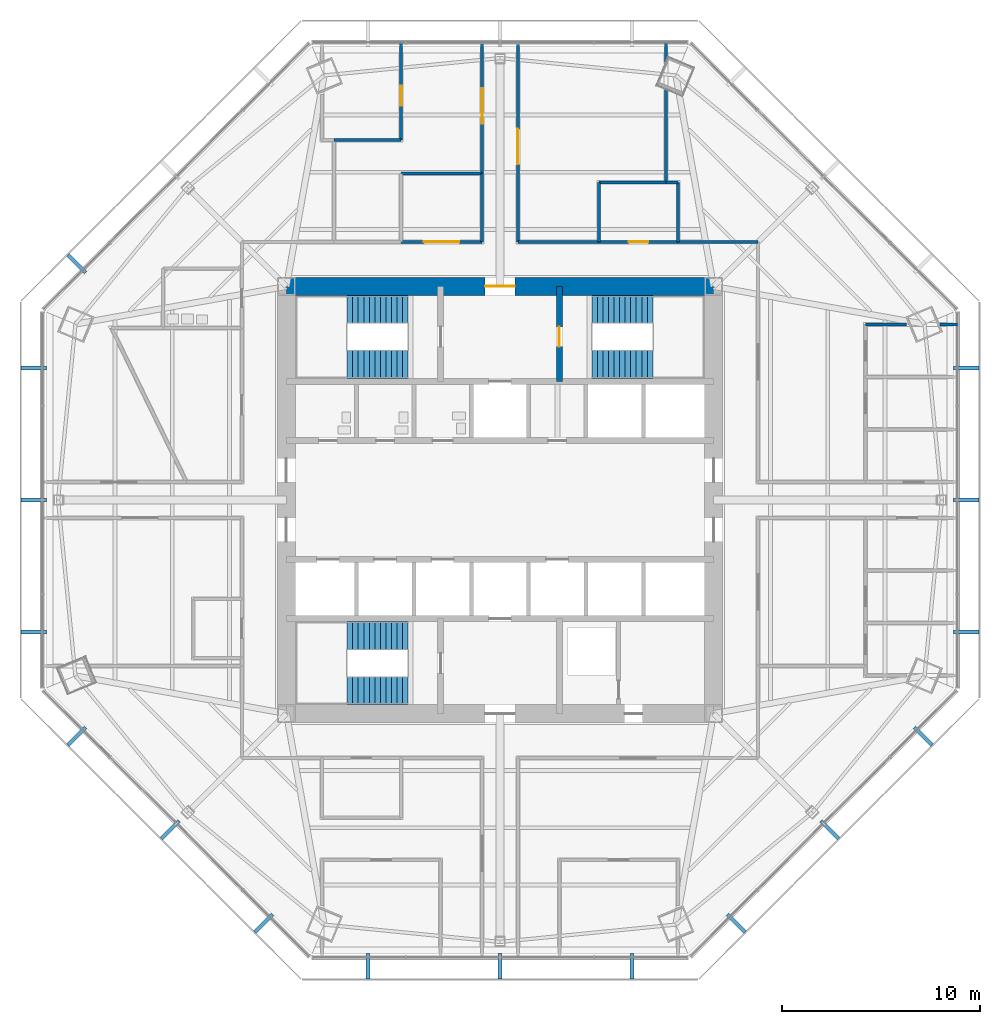
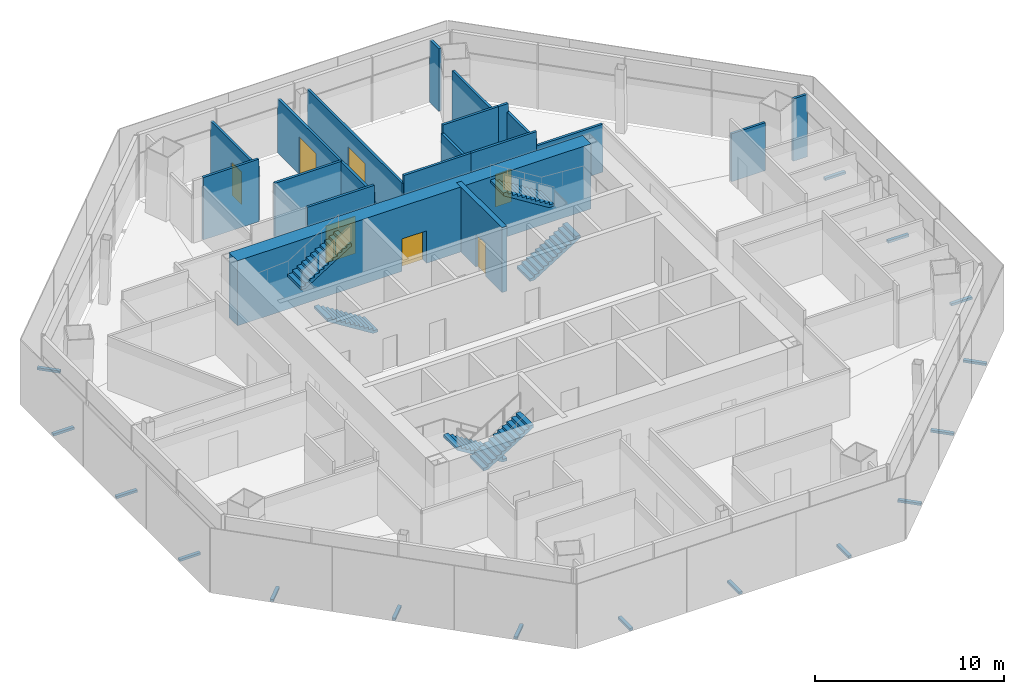
# One storey, part 11 of 15: 20 walls, 16 discrete accessories, 7 doors, 6 stair flights, 7 openings, 3 elements without a shape of their own.
"""IFC4 building model written with IfcOpenShell, lengths in metres."""

from ifc_helpers import new_model, si_unit, direction, frame, frame_2d, origin, origin_2d, place, context, subcontext, project, spatial, polyline, rectangle, outline, extrude, source, transform, mapped, material, layer, layer_set, type_object, type_shapes, element, fill, aggregate, save


model = new_model("IFC4")

# Units and contexts
model_context = context("Model", 3, precision=1e-05, world=origin(), true_north=direction((0.0, 1.0)))
body_context = subcontext(model_context, "Body", "Model", "MODEL_VIEW")
ifc_project = project(units=[si_unit("LENGTHUNIT", "METRE"), si_unit("AREAUNIT", "SQUARE_METRE"), si_unit("VOLUMEUNIT", "CUBIC_METRE"), si_unit("PLANEANGLEUNIT", "RADIAN"), si_unit("MASSUNIT", "GRAM", prefix="KILO")], contexts=[model_context])

# Site, building, storey
site_placement = place(None, origin())
site = spatial("IfcSite", under=ifc_project, at=site_placement, CompositionType="ELEMENT")
building_placement = place(site_placement, origin())
building = spatial("IfcBuilding", under=site, at=building_placement, Name="Mashrafa Tower", CompositionType="ELEMENT")
storey_placement = place(building_placement, frame((0.0, 0.0, 172.199951171875)))
storey = spatial("IfcBuildingStorey", under=building, at=storey_placement, Name="L39", CompositionType="ELEMENT", Elevation=172.199951171875)

# Wall, opening, door
ifc_material_1 = material(Name="Concrete C60/75", Category="concrete")
ifc_layer_1 = layer(ifc_material_1, 0.300048828125)
ifc_layer_set_1 = layer_set([ifc_layer_1], Name="Core wall 300 C60/75")
wall_type_1 = type_object("IfcWallType", Name="Core wall 300 C60/75", PredefinedType="SOLIDWALL", material=ifc_layer_set_1)
wall_1_placement = place(storey_placement, frame((3.0, 6.0, 0.0), z_axis=(0.0, 0.0, 1.0), x_axis=(0.0, 1.0, 0.0)))
wall_1 = element("IfcWall", 1, at=wall_1_placement, inside=storey, type_object=wall_type_1, Name="Core wall CX-NE L39", PredefinedType="SOLIDWALL", context=body_context, shape_type="SweptSolid", body=[
    extrude(rectangle(XDim=4.800048828125, YDim=0.300048828125, at=frame_2d((2.39990234375, 0.0))), origin(), (0.0, 0.0, 1.0), 4.199951171875),
])
opening_1_placement = place(wall_1_placement, frame((1.75, 0.0, 0.0)))
opening_1 = element("IfcOpeningElement", 2, at=opening_1_placement, cuts=wall_1, Name="Opening 39.031", PredefinedType="OPENING", context=body_context, shape_type="SweptSolid", body=[
    extrude(rectangle(XDim=1.0, YDim=2.10009765625, at=frame_2d((0.5, 1.050048828125))), frame((0.0, 0.159912109375, 0.0), z_axis=(0.0, -1.0, 0.0), x_axis=(1.0, 0.0, 0.0)), (0.0, 0.0, 1.0), 0.320068359375),
])
ifc_material_2 = material(Name="Steel door", Category="steel")
door_type_1 = type_object("IfcDoorType", Name="Stair door 1000 x 2100 90 min", OperationType="USERDEFINED", PredefinedType="DOOR", material=ifc_material_2)
door_1_placement = place(opening_1_placement, frame((1.0, 0.0, 0.0), z_axis=(0.0, 0.0, 1.0), x_axis=(-1.0, 0.0, 0.0)))
door_1 = element("IfcDoor", 3, at=door_1_placement, inside=storey, type_object=door_type_1, Name="Stair S2 door L39", OperationType="SINGLE_SWING_RIGHT", OverallHeight=2.10009765625, OverallWidth=1.0, PredefinedType="DOOR", context=body_context, shape_type="SweptSolid", body=[
    extrude(rectangle(XDim=1.0, YDim=2.10009765625, at=frame_2d((0.5, 1.050048828125))), frame((0.0, 0.02490234375, 0.0), z_axis=(0.0, -1.0, 0.0), x_axis=(1.0, 0.0, 0.0)), (0.0, 0.0, 1.0), 0.050048828125),
])
fill(opening_1, door_1)

ifc_material_3 = material(Name="Concrete C60/75", Category="concrete")
ifc_layer_2 = layer(ifc_material_3, 0.89990234375)
ifc_layer_set_2 = layer_set([ifc_layer_2], Name="Core wall 900 C60/75")
wall_type_2 = type_object("IfcWallType", Name="Core wall 900 C60/75", PredefinedType="SOLIDWALL", material=ifc_layer_set_2)
wall_2_placement = place(storey_placement, frame((10.800048828125, 10.800048828125, 0.0), z_axis=(0.0, 0.0, 1.0), x_axis=(-1.0, 0.0, 0.0)))
wall_2 = element("IfcWall", 4, at=wall_2_placement, inside=storey, type_object=wall_type_2, Name="Core wall CW-N L39", PredefinedType="SOLIDWALL", context=body_context, shape_type="SweptSolid", body=[
    extrude(rectangle(XDim=21.60009765625, YDim=0.89990234375, at=frame_2d((10.800048828125, 0.0))), origin(), (0.0, 0.0, 1.0), 4.199951171875),
])
opening_2_placement = place(wall_2_placement, frame((10.050048828125, 0.0, 0.0)))
opening_2 = element("IfcOpeningElement", 5, at=opening_2_placement, cuts=wall_2, Name="Opening 39.028", PredefinedType="OPENING", context=body_context, shape_type="SweptSolid", body=[
    extrude(rectangle(XDim=1.5, YDim=2.10009765625, at=frame_2d((0.75, 1.050048828125))), frame((0.0, 0.4599609375, 0.0), z_axis=(0.0, -1.0, 0.0), x_axis=(1.0, 0.0, 0.0)), (0.0, 0.0, 1.0), 0.919921875),
])
ifc_material_4 = material(Name="Steel door", Category="steel")
door_type_2 = type_object("IfcDoorType", Name="Lobby door pair 1500 x 2100 90 min", OperationType="DOUBLE_DOOR_SINGLE_SWING", PredefinedType="DOOR", material=ifc_material_4)
door_2_placement = place(opening_2_placement, origin())
door_2 = element("IfcDoor", 6, at=door_2_placement, inside=storey, type_object=door_type_2, Name="Fire-fighting lobby F1 door L39", OperationType="DOUBLE_DOOR_SINGLE_SWING", OverallHeight=2.10009765625, OverallWidth=1.5, PredefinedType="DOOR", context=body_context, shape_type="SweptSolid", body=[
    extrude(rectangle(XDim=1.5, YDim=2.10009765625, at=frame_2d((0.75, 1.050048828125))), frame((0.0, 0.02490234375, 0.0), z_axis=(0.0, -1.0, 0.0), x_axis=(1.0, 0.0, 0.0)), (0.0, 0.0, 1.0), 0.050048828125),
])
fill(opening_2, door_2)

# Wall
ifc_material_5 = material(Name="Gypsum board on steel studs", Category="steel")
ifc_layer_3 = layer(ifc_material_5, 0.14990234375)
ifc_layer_set_3 = layer_set([ifc_layer_3], Name="Corridor partition 150 1 hr")
wall_type_3 = type_object("IfcWallType", Name="Corridor partition 150 1 hr", PredefinedType="PARTITIONING", material=ifc_layer_set_3)
wall_3_placement = place(storey_placement, frame((-0.89990234375, 16.5009765625, 0.0), z_axis=(0.0, 0.0, 1.0), x_axis=(0.0, -1.0, 0.0)))
element("IfcWall", 7, at=wall_3_placement, inside=storey, type_object=wall_type_3, Name="Corridor wall L39-004", PredefinedType="PARTITIONING", context=body_context, shape_type="SweptSolid", body=[
    extrude(rectangle(XDim=3.450927734375, YDim=0.14990234375, at=frame_2d((1.7255859375, 0.0))), origin(), (0.0, 0.0, 1.0), 3.49169921875),
])

# Wall, opening, door
wall_4_placement = place(storey_placement, frame((-0.89990234375, 13.050048828125, 0.0), z_axis=(0.0, 0.0, 1.0), x_axis=(-1.0, 0.0, 0.0)))
wall_4 = element("IfcWall", 8, at=wall_4_placement, inside=storey, type_object=wall_type_3, Name="Corridor wall L39-005", PredefinedType="PARTITIONING", context=body_context, shape_type="SweptSolid", body=[
    extrude(rectangle(XDim=4.10107421875, YDim=0.14990234375, at=frame_2d((2.050537109375, 0.0))), origin(), (0.0, 0.0, 1.0), 4.03515625),
])
opening_3_placement = place(wall_4_placement, frame((1.150390625, 0.0, 0.0)))
opening_3 = element("IfcOpeningElement", 9, at=opening_3_placement, cuts=wall_4, Name="Opening 39.003", PredefinedType="OPENING", context=body_context, shape_type="SweptSolid", body=[
    extrude(rectangle(XDim=1.800048828125, YDim=2.39990234375, at=frame_2d((0.89990234375, 1.199951171875))), frame((0.0, 0.0849609375, 0.0), z_axis=(0.0, -1.0, 0.0), x_axis=(1.0, 0.0, 0.0)), (0.0, 0.0, 1.0), 0.169921875),
])
ifc_material_6 = material(Name="Steel door", Category="steel")
door_type_3 = type_object("IfcDoorType", Name="Door pair 1800 x 2400 90 min", OperationType="DOUBLE_DOOR_SINGLE_SWING", PredefinedType="DOOR", material=ifc_material_6)
door_3_placement = place(opening_3_placement, origin())
door_3 = element("IfcDoor", 10, at=door_3_placement, inside=storey, type_object=door_type_3, Name="Reception 39-1 door", OperationType="DOUBLE_DOOR_SINGLE_SWING", OverallHeight=2.39990234375, OverallWidth=1.800048828125, PredefinedType="DOOR", context=body_context, shape_type="SweptSolid", body=[
    extrude(rectangle(XDim=1.800048828125, YDim=2.39990234375, at=frame_2d((0.89990234375, 1.199951171875))), frame((0.0, 0.02490234375, 0.0), z_axis=(0.0, -1.0, 0.0), x_axis=(1.0, 0.0, 0.0)), (0.0, 0.0, 1.0), 0.050048828125),
])
fill(opening_3, door_3)

wall_5_placement = place(storey_placement, frame((9.0009765625, 13.050048828125, 0.0), z_axis=(0.0, 0.0, 1.0), x_axis=(-1.0, 0.0, 0.0)))
wall_5 = element("IfcWall", 11, at=wall_5_placement, inside=storey, type_object=wall_type_3, Name="Corridor wall L39-006", PredefinedType="PARTITIONING", context=body_context, shape_type="SweptSolid", body=[
    extrude(rectangle(XDim=4.001953125, YDim=0.14990234375, at=frame_2d((2.0009765625, 0.0))), origin(), (0.0, 0.0, 1.0), 4.03515625),
])
opening_4_placement = place(wall_5_placement, frame((1.5009765625, 0.0, 0.0)))
opening_4 = element("IfcOpeningElement", 12, at=opening_4_placement, cuts=wall_5, Name="Opening 39.005", PredefinedType="OPENING", context=body_context, shape_type="SweptSolid", body=[
    extrude(rectangle(XDim=1.0, YDim=2.10009765625, at=frame_2d((0.5, 1.050048828125))), frame((0.0, 0.0849609375, 0.0), z_axis=(0.0, -1.0, 0.0), x_axis=(1.0, 0.0, 0.0)), (0.0, 0.0, 1.0), 0.169921875),
])
ifc_material_7 = material(Name="Timber door", Category="wood")
door_type_4 = type_object("IfcDoorType", Name="Door 1000 x 2100", OperationType="USERDEFINED", PredefinedType="DOOR", material=ifc_material_7)
door_4_placement = place(opening_4_placement, frame((1.0, 0.0, 0.0), z_axis=(0.0, 0.0, 1.0), x_axis=(-1.0, 0.0, 0.0)))
door_4 = element("IfcDoor", 13, at=door_4_placement, inside=storey, type_object=door_type_4, Name="Pantry 39-1 door", OperationType="SINGLE_SWING_RIGHT", OverallHeight=2.10009765625, OverallWidth=1.0, PredefinedType="DOOR", context=body_context, shape_type="SweptSolid", body=[
    extrude(rectangle(XDim=1.0, YDim=2.10009765625, at=frame_2d((0.5, 1.050048828125))), frame((0.0, 0.02490234375, 0.0), z_axis=(0.0, -1.0, 0.0), x_axis=(1.0, 0.0, 0.0)), (0.0, 0.0, 1.0), 0.050048828125),
])
fill(opening_4, door_4)

# Walls
wall_6_placement = place(storey_placement, frame((13.050048828125, 13.050048828125, 0.0), z_axis=(0.0, 0.0, 1.0), x_axis=(-1.0, 0.0, 0.0)))
element("IfcWall", 14, at=wall_6_placement, inside=storey, type_object=wall_type_3, Name="Corridor wall L39-013", PredefinedType="PARTITIONING", context=body_context, shape_type="SweptSolid", body=[
    extrude(rectangle(XDim=4.051025390625, YDim=0.14990234375, at=frame_2d((2.025390625, 0.0))), origin(), (0.0, 0.0, 1.0), 3.097900390625),
])
wall_7_placement = place(storey_placement, frame((5.0009765625, 13.050048828125, 0.0), z_axis=(0.0, 0.0, 1.0), x_axis=(-1.0, 0.0, 0.0)))
element("IfcWall", 15, at=wall_7_placement, inside=storey, type_object=wall_type_3, Name="Corridor wall L39-014", PredefinedType="PARTITIONING", context=body_context, shape_type="SweptSolid", body=[
    extrude(rectangle(XDim=4.10107421875, YDim=0.14990234375, at=frame_2d((2.050537109375, 0.0))), origin(), (0.0, 0.0, 1.0), 4.03515625),
])

# Wall, opening, door
wall_8_placement = place(storey_placement, frame((0.89990234375, 13.050048828125, 0.0), z_axis=(0.0, 0.0, 1.0), x_axis=(0.0, 1.0, 0.0)))
wall_8 = element("IfcWall", 16, at=wall_8_placement, inside=storey, type_object=wall_type_3, Name="Corridor wall L39-015", PredefinedType="PARTITIONING", context=body_context, shape_type="SweptSolid", body=[
    extrude(rectangle(XDim=10.077392578125, YDim=0.14990234375, at=frame_2d((5.03857421875, 0.0))), origin(), (0.0, 0.0, 1.0), 3.49169921875),
])
opening_5_placement = place(wall_8_placement, frame((3.921630859375, 0.0, 0.0)))
opening_5 = element("IfcOpeningElement", 17, at=opening_5_placement, cuts=wall_8, Name="Opening 39.017", PredefinedType="OPENING", context=body_context, shape_type="SweptSolid", body=[
    extrude(rectangle(XDim=1.800048828125, YDim=2.39990234375, at=frame_2d((0.89990234375, 1.199951171875))), frame((0.0, 0.0849609375, 0.0), z_axis=(0.0, -1.0, 0.0), x_axis=(1.0, 0.0, 0.0)), (0.0, 0.0, 1.0), 0.169921875),
])
ifc_material_8 = material(Name="Timber door", Category="wood")
door_type_5 = type_object("IfcDoorType", Name="Door pair 1800 x 2400", OperationType="DOUBLE_DOOR_SINGLE_SWING", PredefinedType="DOOR", material=ifc_material_8)
door_5_placement = place(opening_5_placement, frame((1.800048828125, 0.0, 0.0), z_axis=(0.0, 0.0, 1.0), x_axis=(-1.0, 0.0, 0.0)))
door_5 = element("IfcDoor", 18, at=door_5_placement, inside=storey, type_object=door_type_5, Name="Office Tenancy 39-2-NE2 door", OperationType="DOUBLE_DOOR_SINGLE_SWING", OverallHeight=2.39990234375, OverallWidth=1.800048828125, PredefinedType="DOOR", context=body_context, shape_type="SweptSolid", body=[
    extrude(rectangle(XDim=1.800048828125, YDim=2.39990234375, at=frame_2d((0.89990234375, 1.199951171875))), frame((0.0, 0.02490234375, 0.0), z_axis=(0.0, -1.0, 0.0), x_axis=(1.0, 0.0, 0.0)), (0.0, 0.0, 1.0), 0.050048828125),
])
fill(opening_5, door_5)

wall_9_placement = place(storey_placement, frame((-0.89990234375, 23.12744140625, 0.0), z_axis=(0.0, 0.0, 1.0), x_axis=(0.0, -1.0, 0.0)))
wall_9 = element("IfcWall", 19, at=wall_9_placement, inside=storey, type_object=wall_type_3, Name="Corridor wall L39-020", PredefinedType="PARTITIONING", context=body_context, shape_type="SweptSolid", body=[
    extrude(rectangle(XDim=6.62841796875, YDim=0.14990234375, at=frame_2d((3.314208984375, 0.0))), origin(), (0.0, 0.0, 1.0), 3.49169921875),
])
opening_6_placement = place(wall_9_placement, frame((2.296142578125, 0.0, 0.0)))
opening_6 = element("IfcOpeningElement", 20, at=opening_6_placement, cuts=wall_9, Name="Opening 39.019", PredefinedType="OPENING", context=body_context, shape_type="SweptSolid", body=[
    extrude(rectangle(XDim=1.800048828125, YDim=2.39990234375, at=frame_2d((0.89990234375, 1.199951171875))), frame((0.0, 0.0849609375, 0.0), z_axis=(0.0, -1.0, 0.0), x_axis=(1.0, 0.0, 0.0)), (0.0, 0.0, 1.0), 0.169921875),
])
door_6_placement = place(opening_6_placement, frame((1.800048828125, 0.0, 0.0), z_axis=(0.0, 0.0, 1.0), x_axis=(-1.0, 0.0, 0.0)))
door_6 = element("IfcDoor", 21, at=door_6_placement, inside=storey, type_object=door_type_5, Name="Office Tenancy 39-1-NW2 door", OperationType="DOUBLE_DOOR_SINGLE_SWING", OverallHeight=2.39990234375, OverallWidth=1.800048828125, PredefinedType="DOOR", context=body_context, shape_type="SweptSolid", body=[
    extrude(rectangle(XDim=1.800048828125, YDim=2.39990234375, at=frame_2d((0.89990234375, 1.199951171875))), frame((0.0, 0.02490234375, 0.0), z_axis=(0.0, -1.0, 0.0), x_axis=(1.0, 0.0, 0.0)), (0.0, 0.0, 1.0), 0.050048828125),
])
fill(opening_6, door_6)

# Walls
wall_10_placement = place(storey_placement, frame((-0.89990234375, 16.5, 0.0), z_axis=(0.0, 0.0, 1.0), x_axis=(-1.0, 0.0, 0.0)))
element("IfcWall", 22, at=wall_10_placement, inside=storey, type_object=wall_type_3, Name="Corridor wall L39-038", PredefinedType="PARTITIONING", context=body_context, shape_type="SweptSolid", body=[
    extrude(rectangle(XDim=4.10009765625, YDim=0.14990234375, at=frame_2d((2.050048828125, 0.0))), origin(), (0.0, 0.0, 1.0), 3.499267578125),
])
ifc_material_9 = material(Name="Gypsum board on steel studs", Category="steel")
ifc_layer_4 = layer(ifc_material_9, 0.14990234375)
ifc_layer_set_4 = layer_set([ifc_layer_4], Name="Partition 150")
wall_type_4 = type_object("IfcWallType", Name="Partition 150", PredefinedType="PARTITIONING", material=ifc_layer_set_4)
wall_11_placement = place(storey_placement, frame((-8.40087890625, 18.193359375, 0.0), z_axis=(0.0, 0.0, 1.0), x_axis=(1.0, 0.0, 0.0)))
element("IfcWall", 23, at=wall_11_placement, inside=storey, type_object=wall_type_4, Name="Partition wall L39-043", PredefinedType="PARTITIONING", context=body_context, shape_type="SweptSolid", body=[
    extrude(rectangle(XDim=3.40087890625, YDim=0.14990234375, at=frame_2d((1.700439453125, 0.0))), origin(), (0.0, 0.0, 1.0), 4.03515625),
])

# Wall, opening, door
wall_12_placement = place(storey_placement, frame((-5.0, 18.193359375, 0.0), z_axis=(0.0, 0.0, 1.0), x_axis=(0.0, 1.0, 0.0)))
wall_12 = element("IfcWall", 24, at=wall_12_placement, inside=storey, type_object=wall_type_4, Name="Partition wall L39-044", PredefinedType="PARTITIONING", context=body_context, shape_type="SweptSolid", body=[
    extrude(rectangle(XDim=4.93408203125, YDim=0.14990234375, at=frame_2d((2.467041015625, 0.0))), origin(), (0.0, 0.0, 1.0), 3.49169921875),
])
opening_7_placement = place(wall_12_placement, frame((1.75, 0.0, 0.0)))
opening_7 = element("IfcOpeningElement", 25, at=opening_7_placement, cuts=wall_12, Name="Opening 39.004", PredefinedType="OPENING", context=body_context, shape_type="SweptSolid", body=[
    extrude(rectangle(XDim=1.0, YDim=2.10009765625, at=frame_2d((0.5, 1.050048828125))), frame((0.0, 0.0849609375, 0.0), z_axis=(0.0, -1.0, 0.0), x_axis=(1.0, 0.0, 0.0)), (0.0, 0.0, 1.0), 0.169921875),
])
door_7_placement = place(opening_7_placement, origin())
door_7 = element("IfcDoor", 26, at=door_7_placement, inside=storey, type_object=door_type_4, Name="Meeting Room 39-1-NW2 door", OperationType="SINGLE_SWING_LEFT", OverallHeight=2.10009765625, OverallWidth=1.0, PredefinedType="DOOR", context=body_context, shape_type="SweptSolid", body=[
    extrude(rectangle(XDim=1.0, YDim=2.10009765625, at=frame_2d((0.5, 1.050048828125))), frame((0.0, 0.02490234375, 0.0), z_axis=(0.0, -1.0, 0.0), x_axis=(1.0, 0.0, 0.0)), (0.0, 0.0, 1.0), 0.050048828125),
])
fill(opening_7, door_7)

# Walls
wall_13_placement = place(storey_placement, frame((9.0, 13.050048828125, 0.0), z_axis=(0.0, 0.0, 1.0), x_axis=(0.0, 1.0, 0.0)))
element("IfcWall", 27, at=wall_13_placement, inside=storey, type_object=wall_type_4, Name="Partition wall L39-045", PredefinedType="PARTITIONING", context=body_context, shape_type="SweptSolid", body=[
    extrude(rectangle(XDim=3.0, YDim=0.14990234375, at=frame_2d((1.5, 0.0))), origin(), (0.0, 0.0, 1.0), 3.49169921875),
])
wall_14_placement = place(storey_placement, frame((9.0, 16.050048828125, 0.0), z_axis=(0.0, 0.0, 1.0), x_axis=(-1.0, 0.0, 0.0)))
element("IfcWall", 28, at=wall_14_placement, inside=storey, type_object=wall_type_4, Name="Partition wall L39-046", PredefinedType="PARTITIONING", context=body_context, shape_type="SweptSolid", body=[
    extrude(rectangle(XDim=0.60107421875, YDim=0.14990234375, at=frame_2d((0.300537109375, 0.0))), origin(), (0.0, 0.0, 1.0), 4.03515625),
])
wall_15_placement = place(storey_placement, frame((8.40087890625, 16.050048828125, 0.0), z_axis=(0.0, 0.0, 1.0), x_axis=(-1.0, 0.0, 0.0)))
element("IfcWall", 29, at=wall_15_placement, inside=storey, type_object=wall_type_4, Name="Partition wall L39-047", PredefinedType="PARTITIONING", context=body_context, shape_type="SweptSolid", body=[
    extrude(rectangle(XDim=3.40087890625, YDim=0.14990234375, at=frame_2d((1.700439453125, 0.0))), origin(), (0.0, 0.0, 1.0), 4.03515625),
])
wall_16_placement = place(storey_placement, frame((5.0, 16.050048828125, 0.0), z_axis=(0.0, 0.0, 1.0), x_axis=(0.0, -1.0, 0.0)))
element("IfcWall", 30, at=wall_16_placement, inside=storey, type_object=wall_type_4, Name="Partition wall L39-048", PredefinedType="PARTITIONING", context=body_context, shape_type="SweptSolid", body=[
    extrude(rectangle(XDim=3.0, YDim=0.14990234375, at=frame_2d((1.5, 0.0))), origin(), (0.0, 0.0, 1.0), 3.49169921875),
])
wall_17_placement = place(storey_placement, frame((23.12548828125, 8.866943359375, 0.0), z_axis=(0.0, 0.0, 1.0), x_axis=(-1.0, 0.0, 0.0)))
element("IfcWall", 31, at=wall_17_placement, inside=storey, type_object=wall_type_4, Name="Partition wall L39-067", PredefinedType="PARTITIONING", context=body_context, shape_type="SweptSolid", body=[
    extrude(rectangle(XDim=0.87158203125, YDim=0.14990234375, at=frame_2d((0.435791015625, 0.0))), origin(), (0.0, 0.0, 1.0), 4.03515625),
])
wall_18_placement = place(storey_placement, frame((20.557373046875, 8.866943359375, 0.0), z_axis=(0.0, 0.0, 1.0), x_axis=(-1.0, 0.0, 0.0)))
element("IfcWall", 32, at=wall_18_placement, inside=storey, type_object=wall_type_4, Name="Partition wall L39-068", PredefinedType="PARTITIONING", context=body_context, shape_type="SweptSolid", body=[
    extrude(rectangle(XDim=2.06396484375, YDim=0.14990234375, at=frame_2d((1.031982421875, 0.0))), origin(), (0.0, 0.0, 1.0), 3.097900390625),
])
wall_19_placement = place(storey_placement, frame((8.39990234375, 23.12548828125, 0.0), z_axis=(0.0, 0.0, 1.0), x_axis=(0.0, -1.0, 0.0)))
element("IfcWall", 33, at=wall_19_placement, inside=storey, type_object=wall_type_4, Name="Partition wall L39-078", PredefinedType="PARTITIONING", context=body_context, shape_type="SweptSolid", body=[
    extrude(rectangle(XDim=0.96728515625, YDim=0.14990234375, at=frame_2d((0.483642578125, 0.0))), origin(), (0.0, 0.0, 1.0), 4.03515625),
])
wall_20_placement = place(storey_placement, frame((8.39990234375, 20.7509765625, 0.0), z_axis=(0.0, 0.0, 1.0), x_axis=(0.0, -1.0, 0.0)))
element("IfcWall", 34, at=wall_20_placement, inside=storey, type_object=wall_type_4, Name="Partition wall L39-079", PredefinedType="PARTITIONING", context=body_context, shape_type="SweptSolid", body=[
    extrude(rectangle(XDim=4.700927734375, YDim=0.14990234375, at=frame_2d((2.3505859375, 0.0))), origin(), (0.0, 0.0, 1.0), 3.49169921875),
])

# Stair, stair flights
ifc_material_10 = material(Name="Exit stair 1400")
stair_type = type_object("IfcStairType", Name="Exit stair 1400", PredefinedType="HALF_TURN_STAIR", material=ifc_material_10)
stair_1_placement = place(storey_placement, origin())
stair_1 = element("IfcStair", 35, at=stair_1_placement, inside=storey, type_object=stair_type, Name="Stair S1 L39", PredefinedType="HALF_TURN_STAIR")
ifc_material_11 = material(Name="Concrete C32/40", Category="concrete")
stair_flight_type = type_object("IfcStairFlightType", Name="Stair flight 1400", PredefinedType="STRAIGHT", material=ifc_material_11)
stair_flight_1_placement = place(storey_placement, frame((-4.64990234375, 6.85009765625, 0.0), z_axis=(0.0, 0.0, 1.0), x_axis=(-1.0, 0.0, 0.0)))
stair_flight_1 = element("IfcStairFlight", 36, at=stair_flight_1_placement, type_object=stair_flight_type, Name="S1 flight 1", NumberOfRisers=12, NumberOfTreads=11, PredefinedType="STRAIGHT", RiserHeight=0.175, TreadLength=0.28, context=body_context, shape_type="SweptSolid", body=[
    extrude(outline(polyline([(0.0, 0.0), (0.0, 0.175048828125), (0.280029296875, 0.175048828125), (0.280029296875, 0.35009765625), (0.56005859375, 0.35009765625), (0.56005859375, 0.52490234375), (0.840087890625, 0.52490234375), (0.840087890625, 0.699951171875), (1.1201171875, 0.699951171875), (1.1201171875, 0.875), (1.39990234375, 0.875), (1.39990234375, 1.050048828125), (1.679931640625, 1.050048828125), (1.679931640625, 1.22509765625), (1.9599609375, 1.22509765625), (1.9599609375, 1.39990234375), (2.239990234375, 1.39990234375), (2.239990234375, 1.574951171875), (2.52001953125, 1.574951171875), (2.52001953125, 1.75), (2.800048828125, 1.75), (2.800048828125, 1.925048828125), (3.080078125, 1.925048828125), (3.080078125, 2.10009765625), (3.080078125, 1.748291015625), (0.28271484375, 0.0), (0.0, 0.0)])), frame((0.0, 0.699951171875, 0.0), z_axis=(0.0, -1.0, 0.0), x_axis=(1.0, 0.0, 0.0)), (0.0, 0.0, 1.0), 1.39990234375),
])
stair_flight_2_placement = place(storey_placement, frame((-7.72998046875, 9.64990234375, 2.10009765625), z_axis=(0.0, 0.0, 1.0), x_axis=(1.0, 0.0, 0.0)))
stair_flight_2 = element("IfcStairFlight", 37, at=stair_flight_2_placement, type_object=stair_flight_type, Name="S1 flight 2", NumberOfRisers=12, NumberOfTreads=11, PredefinedType="STRAIGHT", RiserHeight=0.175, TreadLength=0.28, context=body_context, shape_type="SweptSolid", body=[
    extrude(outline(polyline([(0.0, 0.0), (0.0, 0.175048828125), (0.280029296875, 0.175048828125), (0.280029296875, 0.35009765625), (0.56005859375, 0.35009765625), (0.56005859375, 0.52490234375), (0.840087890625, 0.52490234375), (0.840087890625, 0.699951171875), (1.1201171875, 0.699951171875), (1.1201171875, 0.875), (1.39990234375, 0.875), (1.39990234375, 1.050048828125), (1.679931640625, 1.050048828125), (1.679931640625, 1.22509765625), (1.9599609375, 1.22509765625), (1.9599609375, 1.39990234375), (2.239990234375, 1.39990234375), (2.239990234375, 1.574951171875), (2.52001953125, 1.574951171875), (2.52001953125, 1.75), (2.800048828125, 1.75), (2.800048828125, 1.925048828125), (3.080078125, 1.925048828125), (3.080078125, 2.10009765625), (3.080078125, 1.748291015625), (0.28271484375, 0.0), (0.0, 0.0)])), frame((0.0, 0.699951171875, 0.0), z_axis=(0.0, -1.0, 0.0), x_axis=(1.0, 0.0, 0.0)), (0.0, 0.0, 1.0), 1.39990234375),
])
aggregate(stair_1, [stair_flight_1, stair_flight_2])

stair_2_placement = place(storey_placement, origin())
stair_2 = element("IfcStair", 38, at=stair_2_placement, inside=storey, type_object=stair_type, Name="Stair S2 L39", PredefinedType="HALF_TURN_STAIR")
stair_flight_3_placement = place(storey_placement, frame((4.64990234375, 6.85009765625, 0.0), z_axis=(0.0, 0.0, 1.0), x_axis=(1.0, 0.0, 0.0)))
stair_flight_3 = element("IfcStairFlight", 39, at=stair_flight_3_placement, type_object=stair_flight_type, Name="S2 flight 1", NumberOfRisers=12, NumberOfTreads=11, PredefinedType="STRAIGHT", RiserHeight=0.175, TreadLength=0.28, context=body_context, shape_type="SweptSolid", body=[
    extrude(outline(polyline([(0.0, 0.0), (0.0, 0.175048828125), (0.280029296875, 0.175048828125), (0.280029296875, 0.35009765625), (0.56005859375, 0.35009765625), (0.56005859375, 0.52490234375), (0.840087890625, 0.52490234375), (0.840087890625, 0.699951171875), (1.1201171875, 0.699951171875), (1.1201171875, 0.875), (1.39990234375, 0.875), (1.39990234375, 1.050048828125), (1.679931640625, 1.050048828125), (1.679931640625, 1.22509765625), (1.9599609375, 1.22509765625), (1.9599609375, 1.39990234375), (2.239990234375, 1.39990234375), (2.239990234375, 1.574951171875), (2.52001953125, 1.574951171875), (2.52001953125, 1.75), (2.800048828125, 1.75), (2.800048828125, 1.925048828125), (3.080078125, 1.925048828125), (3.080078125, 2.10009765625), (3.080078125, 1.748291015625), (0.28271484375, 0.0), (0.0, 0.0)])), frame((0.0, 0.699951171875, 0.0), z_axis=(0.0, -1.0, 0.0), x_axis=(1.0, 0.0, 0.0)), (0.0, 0.0, 1.0), 1.39990234375),
])
stair_flight_4_placement = place(storey_placement, frame((7.72998046875, 9.64990234375, 2.10009765625), z_axis=(0.0, 0.0, 1.0), x_axis=(-1.0, 0.0, 0.0)))
stair_flight_4 = element("IfcStairFlight", 40, at=stair_flight_4_placement, type_object=stair_flight_type, Name="S2 flight 2", NumberOfRisers=12, NumberOfTreads=11, PredefinedType="STRAIGHT", RiserHeight=0.175, TreadLength=0.28, context=body_context, shape_type="SweptSolid", body=[
    extrude(outline(polyline([(0.0, 0.0), (0.0, 0.175048828125), (0.280029296875, 0.175048828125), (0.280029296875, 0.35009765625), (0.56005859375, 0.35009765625), (0.56005859375, 0.52490234375), (0.840087890625, 0.52490234375), (0.840087890625, 0.699951171875), (1.1201171875, 0.699951171875), (1.1201171875, 0.875), (1.39990234375, 0.875), (1.39990234375, 1.050048828125), (1.679931640625, 1.050048828125), (1.679931640625, 1.22509765625), (1.9599609375, 1.22509765625), (1.9599609375, 1.39990234375), (2.239990234375, 1.39990234375), (2.239990234375, 1.574951171875), (2.52001953125, 1.574951171875), (2.52001953125, 1.75), (2.800048828125, 1.75), (2.800048828125, 1.925048828125), (3.080078125, 1.925048828125), (3.080078125, 2.10009765625), (3.080078125, 1.748291015625), (0.28271484375, 0.0), (0.0, 0.0)])), frame((0.0, 0.699951171875, 0.0), z_axis=(0.0, -1.0, 0.0), x_axis=(1.0, 0.0, 0.0)), (0.0, 0.0, 1.0), 1.39990234375),
])
aggregate(stair_2, [stair_flight_3, stair_flight_4])

stair_3_placement = place(storey_placement, origin())
stair_3 = element("IfcStair", 41, at=stair_3_placement, inside=storey, type_object=stair_type, Name="Stair S3 L39", PredefinedType="HALF_TURN_STAIR")
stair_flight_5_placement = place(storey_placement, frame((-4.64990234375, -6.85009765625, 0.0), z_axis=(0.0, 0.0, 1.0), x_axis=(-1.0, 0.0, 0.0)))
stair_flight_5 = element("IfcStairFlight", 42, at=stair_flight_5_placement, type_object=stair_flight_type, Name="S3 flight 1", NumberOfRisers=12, NumberOfTreads=11, PredefinedType="STRAIGHT", RiserHeight=0.175, TreadLength=0.28, context=body_context, shape_type="SweptSolid", body=[
    extrude(outline(polyline([(0.0, 0.0), (0.0, 0.175048828125), (0.280029296875, 0.175048828125), (0.280029296875, 0.35009765625), (0.56005859375, 0.35009765625), (0.56005859375, 0.52490234375), (0.840087890625, 0.52490234375), (0.840087890625, 0.699951171875), (1.1201171875, 0.699951171875), (1.1201171875, 0.875), (1.39990234375, 0.875), (1.39990234375, 1.050048828125), (1.679931640625, 1.050048828125), (1.679931640625, 1.22509765625), (1.9599609375, 1.22509765625), (1.9599609375, 1.39990234375), (2.239990234375, 1.39990234375), (2.239990234375, 1.574951171875), (2.52001953125, 1.574951171875), (2.52001953125, 1.75), (2.800048828125, 1.75), (2.800048828125, 1.925048828125), (3.080078125, 1.925048828125), (3.080078125, 2.10009765625), (3.080078125, 1.748291015625), (0.28271484375, 0.0), (0.0, 0.0)])), frame((0.0, 0.699951171875, 0.0), z_axis=(0.0, -1.0, 0.0), x_axis=(1.0, 0.0, 0.0)), (0.0, 0.0, 1.0), 1.39990234375),
])
stair_flight_6_placement = place(storey_placement, frame((-7.72998046875, -9.64990234375, 2.10009765625), z_axis=(0.0, 0.0, 1.0), x_axis=(1.0, 0.0, 0.0)))
stair_flight_6 = element("IfcStairFlight", 43, at=stair_flight_6_placement, type_object=stair_flight_type, Name="S3 flight 2", NumberOfRisers=12, NumberOfTreads=11, PredefinedType="STRAIGHT", RiserHeight=0.175, TreadLength=0.28, context=body_context, shape_type="SweptSolid", body=[
    extrude(outline(polyline([(0.0, 0.0), (0.0, 0.175048828125), (0.280029296875, 0.175048828125), (0.280029296875, 0.35009765625), (0.56005859375, 0.35009765625), (0.56005859375, 0.52490234375), (0.840087890625, 0.52490234375), (0.840087890625, 0.699951171875), (1.1201171875, 0.699951171875), (1.1201171875, 0.875), (1.39990234375, 0.875), (1.39990234375, 1.050048828125), (1.679931640625, 1.050048828125), (1.679931640625, 1.22509765625), (1.9599609375, 1.22509765625), (1.9599609375, 1.39990234375), (2.239990234375, 1.39990234375), (2.239990234375, 1.574951171875), (2.52001953125, 1.574951171875), (2.52001953125, 1.75), (2.800048828125, 1.75), (2.800048828125, 1.925048828125), (3.080078125, 1.925048828125), (3.080078125, 2.10009765625), (3.080078125, 1.748291015625), (0.28271484375, 0.0), (0.0, 0.0)])), frame((0.0, 0.699951171875, 0.0), z_axis=(0.0, -1.0, 0.0), x_axis=(1.0, 0.0, 0.0)), (0.0, 0.0, 1.0), 1.39990234375),
])
aggregate(stair_3, [stair_flight_5, stair_flight_6])

# Discrete accessories
ifc_material_12 = material(Name="Stainless steel screen bracket", Category="steel")
discrete_accessory_type = type_object("IfcDiscreteAccessoryType", Name="Screen support bracket 200 x 150", PredefinedType="BRACKET", material=ifc_material_12)
shared_shape = source(origin(), body_context, "Body", "SweptSolid", [
    extrude(rectangle(XDim=0.199951171875, YDim=1.27001953125, at=origin_2d()), origin(), (0.0, 0.0, 1.0), 0.14990234375),
])
type_shapes(discrete_accessory_type, [shared_shape])
for number, where, z_axis, x_axis, name in (
    (44, (23.578369140625, -6.6796875, -0.14990234375), (0.0, 0.0, 1.0), (0.0, 1.0, 0.0), "Screen support bracket L39 east 1"),
    (45, (23.578369140625, 0.0, -0.14990234375), (0.0, 0.0, 1.0), (0.0, 1.0, 0.0), "Screen support bracket L39 east 2"),
    (46, (23.578369140625, 6.6796875, -0.14990234375), (0.0, 0.0, 1.0), (0.0, 1.0, 0.0), "Screen support bracket L39 east 3"),
    (47, (-21.395751953125, 11.94921875, -0.14990234375), (0.0, 0.0, 1.0), (-0.707106781187, -0.707106781187, 0.0), "Screen support bracket L39 north-west 3"),
    (48, (-23.578369140625, 6.6796875, -0.14990234375), (0.0, 0.0, 1.0), (0.0, -1.0, 0.0), "Screen support bracket L39 west 1"),
    (49, (-23.578369140625, 0.0, -0.14990234375), (0.0, 0.0, 1.0), (0.0, -1.0, 0.0), "Screen support bracket L39 west 2"),
    (50, (-23.578369140625, -6.6796875, -0.14990234375), (0.0, 0.0, 1.0), (0.0, -1.0, 0.0), "Screen support bracket L39 west 3"),
    (51, (-21.395751953125, -11.94921875, -0.14990234375), (0.0, 0.0, 1.0), (0.707106781187, -0.707106781187, 0.0), "Screen support bracket L39 south-west 1"),
    (52, (-16.67236328125, -16.67236328125, -0.14990234375), (0.0, 0.0, 1.0), (0.707106781187, -0.707106781187, 0.0), "Screen support bracket L39 south-west 2"),
    (53, (-11.94921875, -21.395751953125, -0.14990234375), (0.0, 0.0, 1.0), (0.707106781187, -0.707106781187, 0.0), "Screen support bracket L39 south-west 3"),
    (54, (-6.6796875, -23.578369140625, -0.14990234375), (0.0, 0.0, 1.0), (1.0, 0.0, 0.0), "Screen support bracket L39 south 1"),
    (55, (0.0, -23.578369140625, -0.14990234375), (0.0, 0.0, 1.0), (1.0, 0.0, 0.0), "Screen support bracket L39 south 2"),
    (56, (6.6796875, -23.578369140625, -0.14990234375), (0.0, 0.0, 1.0), (1.0, 0.0, 0.0), "Screen support bracket L39 south 3"),
    (57, (11.94921875, -21.395751953125, -0.14990234375), (0.0, 0.0, 1.0), (0.707106781187, 0.707106781187, 0.0), "Screen support bracket L39 south-east 1"),
    (58, (16.67236328125, -16.67236328125, -0.14990234375), (0.0, 0.0, 1.0), (0.707106781187, 0.707106781187, 0.0), "Screen support bracket L39 south-east 2"),
    (59, (21.395751953125, -11.94921875, -0.14990234375), (0.0, 0.0, 1.0), (0.707106781187, 0.707106781187, 0.0), "Screen support bracket L39 south-east 3"),
):
    element("IfcDiscreteAccessory", number, at=place(storey_placement, frame(where, z_axis=z_axis, x_axis=x_axis)), inside=storey, type_object=discrete_accessory_type, Name=name, PredefinedType="BRACKET", context=body_context, shape_type="MappedRepresentation", body=[
        mapped(shared_shape, transform((0.0, 0.0, 0.0))),
    ])

save(model, "model.ifc")
